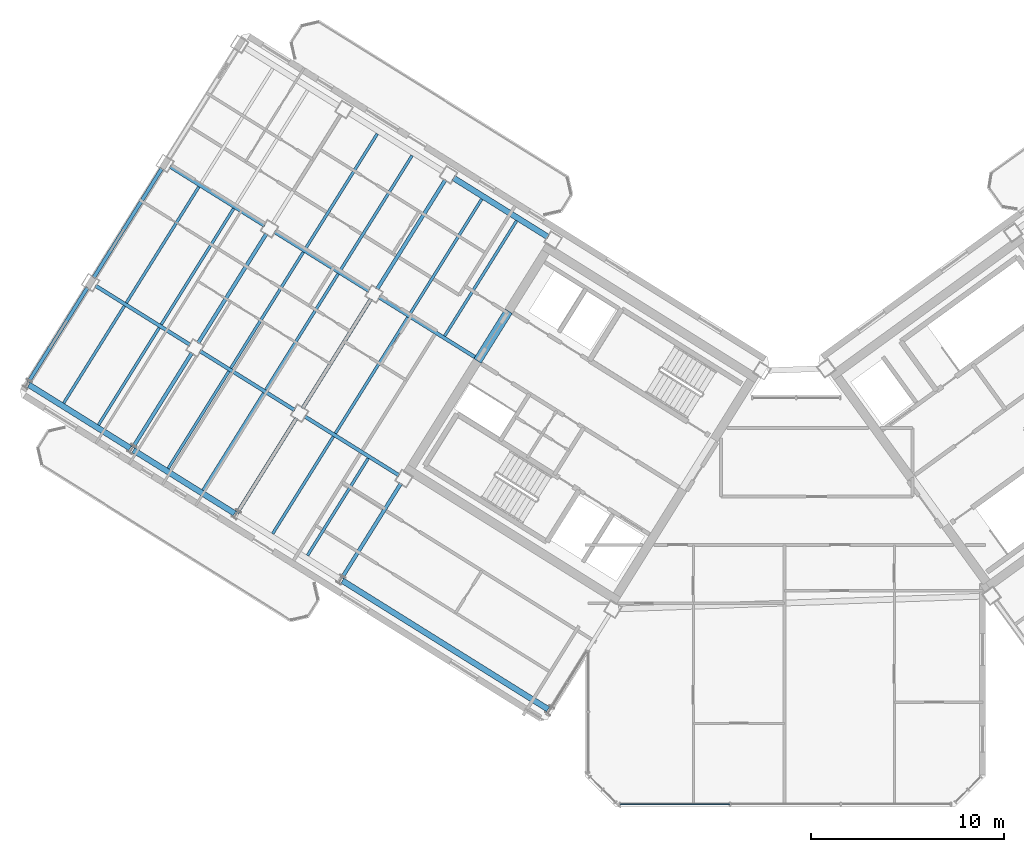
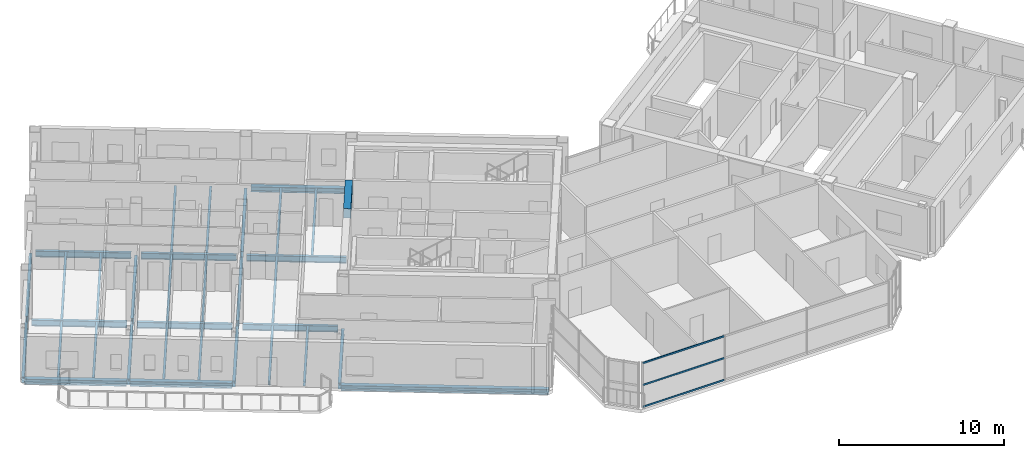
# One storey, part 7 of 25: 34 beams, 3 members, 1 element without a shape of its own.
"""IFC4 building model written with IfcOpenShell, lengths in metres."""

from ifc_helpers import new_model, si_unit, direction, frame, origin, origin_2d, place, context, subcontext, project, spatial, rectangle, hollow_rectangle, i_section, extrude, source, transform, mapped, material, material_profile, profile_set, type_object, element, aggregate, save


model = new_model("IFC4")

# Units and contexts
model_context = context("Model", 3, precision=1e-05, world=origin(), true_north=direction((0.0, 1.0)))
body_context = subcontext(model_context, "Body", "Model", "MODEL_VIEW")
ifc_project = project(units=[si_unit("LENGTHUNIT", "METRE"), si_unit("AREAUNIT", "SQUARE_METRE"), si_unit("VOLUMEUNIT", "CUBIC_METRE"), si_unit("PLANEANGLEUNIT", "RADIAN"), si_unit("MASSUNIT", "GRAM", prefix="KILO")], contexts=[model_context])

# Site, building, storey
site_placement = place(None, origin())
site = spatial("IfcSite", under=ifc_project, at=site_placement, CompositionType="ELEMENT")
building_placement = place(site_placement, origin())
building = spatial("IfcBuilding", under=site, at=building_placement, Name="Tlacorven Tower", CompositionType="ELEMENT")
storey_placement = place(building_placement, frame((0.0, 0.0, 259.199951171875)))
storey = spatial("IfcBuildingStorey", under=building, at=storey_placement, Name="L65", CompositionType="ELEMENT", Elevation=259.199951171875)

# Beams
ifc_material_1 = material(Name="Concrete C60/75", Category="concrete")
ifc_material_profile_1 = material_profile(ifc_material_1, rectangle(XDim=0.449951171875, YDim=0.699951171875, at=origin_2d()), Name="RC 450X700")
ifc_profile_set_1 = profile_set([ifc_material_profile_1], Name="Concrete C60/75")
beam_type_1 = type_object("IfcBeamType", Name="BM-LNT-700", PredefinedType="LINTEL", material=ifc_profile_set_1)
shared_shape_1 = source(origin(), body_context, "Body", "SweptSolid", [
    extrude(rectangle(XDim=0.449951171875, YDim=0.699951171875, at=origin_2d()), origin(), (0.0, 0.0, 1.0), 3.0498046875),
])
beam_1_placement = place(storey_placement, frame((27.622802734375, 27.562255859375, 3.0), z_axis=(-0.529926983584, -0.848043272522, 0.0), x_axis=(0.848043272522, -0.529926983584, 0.0)))
element("IfcBeam", 1, at=beam_1_placement, inside=storey, type_object=beam_type_1, Name="L65 W core coupling lintel beam E2", PredefinedType="LINTEL", context=body_context, shape_type="MappedRepresentation", body=[
    mapped(shared_shape_1, transform((0.0, 0.0, 0.0), scale=1.0)),
])
ifc_material_2 = material(Name="Steel S355J2", Category="steel")
ifc_material_profile_2 = material_profile(ifc_material_2, i_section(OverallWidth=0.300048828125, OverallDepth=0.389892578125, WebThickness=0.010986328125, FlangeThickness=0.01904296875, at=origin_2d()), Name="HEA 400")
ifc_profile_set_2 = profile_set([ifc_material_profile_2], Name="Steel S355J2")
beam_type_2 = type_object("IfcBeamType", Name="BM-SPN-400", PredefinedType="SPANDREL", material=ifc_profile_set_2)
shared_shape_2 = source(origin(), body_context, "Body", "SweptSolid", [
    extrude(i_section(OverallWidth=0.300048828125, OverallDepth=0.389892578125, WebThickness=0.010986328125, FlangeThickness=0.01904296875, at=origin_2d()), origin(), (0.0, 0.0, 1.0), 12.599853515625),
])
beam_2_placement = place(storey_placement, frame((29.67578125, 6.882080078125, -0.445068359375), z_axis=(-0.848045108756, 0.529924045043, 0.0), x_axis=(-0.529924045043, -0.848045108756, 0.0)))
element("IfcBeam", 2, at=beam_2_placement, inside=storey, type_object=beam_type_2, Name="L65 beam BM-L65-WL4-1", PredefinedType="SPANDREL", context=body_context, shape_type="MappedRepresentation", body=[
    mapped(shared_shape_2, transform((0.0, 0.0, 0.0), scale=1.0)),
])
shared_shape_3 = source(origin(), body_context, "Body", "SweptSolid", [
    extrude(i_section(OverallWidth=0.300048828125, OverallDepth=0.389892578125, WebThickness=0.010986328125, FlangeThickness=0.01904296875, at=origin_2d()), origin(), (0.0, 0.0, 1.0), 6.199951171875),
])
for number, where, z_axis, x_axis, name in (
    (3, (13.393310546875, 17.056396484375, -0.445068359375), (-0.848033697614, 0.529942306022, 0.0), (-0.529942306022, -0.848033697614, 0.0), "L65 beam BM-L65-WL4-4"),
    (4, (7.9658203125, 20.447998046875, -0.445068359375), (-0.848051394107, 0.529913986372, 0.0), (-0.529913986372, -0.848051394107, 0.0), "L65 beam BM-L65-WL4-5"),
):
    element("IfcBeam", number, at=place(storey_placement, frame(where, z_axis=z_axis, x_axis=x_axis)), inside=storey, type_object=beam_type_2, Name=name, PredefinedType="SPANDREL", context=body_context, shape_type="MappedRepresentation", body=[
        mapped(shared_shape_3, transform((0.0, 0.0, 0.0), scale=1.0)),
    ])
shared_shape_4 = source(origin(), body_context, "Body", "SweptSolid", [
    extrude(i_section(OverallWidth=0.300048828125, OverallDepth=0.389892578125, WebThickness=0.010986328125, FlangeThickness=0.01904296875, at=origin_2d()), origin(), (0.0, 0.0, 1.0), 5.800048828125),
])
beam_3_placement = place(storey_placement, frame((29.673583984375, 31.410400390625, -0.445068359375), z_axis=(-0.848052689693, 0.529911912967, 0.0), x_axis=(-0.529911912967, -0.848052689693, 0.0)))
element("IfcBeam", 5, at=beam_3_placement, inside=storey, type_object=beam_type_2, Name="L65 beam BM-L65-WL1-3", PredefinedType="SPANDREL", context=body_context, shape_type="MappedRepresentation", body=[
    mapped(shared_shape_4, transform((0.0, 0.0, 0.0), scale=1.0)),
])
ifc_material_profile_3 = material_profile(ifc_material_2, i_section(OverallWidth=0.14990234375, OverallDepth=0.300048828125, WebThickness=0.007080078125, FlangeThickness=0.0107421875, at=origin_2d()), Name="IPE 300")
ifc_profile_set_3 = profile_set([ifc_material_profile_3], Name="Steel S355J2")
beam_type_3 = type_object("IfcBeamType", Name="BM-JST-300", PredefinedType="JOIST", material=ifc_profile_set_3)
shared_shape_5 = source(origin(), body_context, "Body", "SweptSolid", [
    extrude(i_section(OverallWidth=0.14990234375, OverallDepth=0.300048828125, WebThickness=0.007080078125, FlangeThickness=0.0107421875, at=origin_2d()), origin(), (0.0, 0.0, 1.0), 7.10009765625),
])
for number, where, z_axis, x_axis, name in (
    (6, (22.38818359375, 27.23681640625, -0.39990234375), (-0.529915484902, -0.848050457733, 0.0), (0.848050457733, -0.529915484902, 0.0), "L65 beam BM-L65-WJ3-2-2"),
    (7, (11.533203125, 34.019775390625, -0.39990234375), (-0.529915484902, -0.848050457733, 0.0), (0.848050457733, -0.529915484902, 0.0), "L65 beam BM-L65-WJ5-2-2"),
):
    element("IfcBeam", number, at=place(storey_placement, frame(where, z_axis=z_axis, x_axis=x_axis)), inside=storey, type_object=beam_type_3, Name=name, PredefinedType="JOIST", context=body_context, shape_type="MappedRepresentation", body=[
        mapped(shared_shape_5, transform((0.0, 0.0, 0.0), scale=1.0)),
    ])
shared_shape_6 = source(origin(), body_context, "Body", "SweptSolid", [
    extrude(i_section(OverallWidth=0.14990234375, OverallDepth=0.300048828125, WebThickness=0.007080078125, FlangeThickness=0.0107421875, at=origin_2d()), origin(), (0.0, 0.0, 1.0), 7.099853515625),
])
for number, where, z_axis, x_axis, name in (
    (8, (18.769775390625, 29.497802734375, -0.39990234375), (-0.529890754507, -0.848065910344, 0.0), (0.848065910344, -0.529890754507, 0.0), "L65 beam BM-L65-WJ4-2-1"),
    (9, (16.960693359375, 30.628173828125, -0.39990234375), (-0.529930937954, -0.848040801494, 0.0), (0.848040801494, -0.529930937954, 0.0), "L65 beam BM-L65-WJ4-2-2"),
    (10, (13.34228515625, 32.88916015625, -0.39990234375), (-0.529930937954, -0.848040801494, 0.0), (0.848040801494, -0.529930937954, 0.0), "L65 beam BM-L65-WJ5-2-1"),
):
    element("IfcBeam", number, at=place(storey_placement, frame(where, z_axis=z_axis, x_axis=x_axis)), inside=storey, type_object=beam_type_3, Name=name, PredefinedType="JOIST", context=body_context, shape_type="MappedRepresentation", body=[
        mapped(shared_shape_6, transform((0.0, 0.0, 0.0), scale=1.0)),
    ])
shared_shape_7 = source(origin(), body_context, "Body", "SweptSolid", [
    extrude(i_section(OverallWidth=0.14990234375, OverallDepth=0.300048828125, WebThickness=0.007080078125, FlangeThickness=0.0107421875, at=origin_2d()), origin(), (0.0, 0.0, 1.0), 7.044921875),
])
for number, where, z_axis, x_axis, name in (
    (11, (28.03662109375, 32.25048828125, -0.39990234375), (-0.529899256491, -0.848060598053, 0.0), (0.848060598053, -0.529899256491, 0.0), "L65 beam BM-L65-WJ3-1-1"),
    (12, (26.2275390625, 33.380859375, -0.39990234375), (-0.529939753148, -0.848035292917, 0.0), (0.848035292917, -0.529939753148, 0.0), "L65 beam BM-L65-WJ3-1-2"),
    (13, (22.609130859375, 35.641845703125, -0.39990234375), (-0.52991483005, -0.848050866925, 0.0), (0.848050866925, -0.52991483005, 0.0), "L65 beam BM-L65-WJ4-1-1"),
):
    element("IfcBeam", number, at=place(storey_placement, frame(where, z_axis=z_axis, x_axis=x_axis)), inside=storey, type_object=beam_type_3, Name=name, PredefinedType="JOIST", context=body_context, shape_type="MappedRepresentation", body=[
        mapped(shared_shape_7, transform((0.0, 0.0, 0.0), scale=1.0)),
    ])
shared_shape_8 = source(origin(), body_context, "Body", "SweptSolid", [
    extrude(i_section(OverallWidth=0.14990234375, OverallDepth=0.300048828125, WebThickness=0.007080078125, FlangeThickness=0.0107421875, at=origin_2d()), origin(), (0.0, 0.0, 1.0), 5.945068359375),
])
for number, where, z_axis, x_axis, name in (
    (14, (20.3291015625, 19.91552734375, -0.39990234375), (-0.529914037113, -0.848051362401, 0.0), (0.848051362401, -0.529914037113, 0.0), "L65 beam BM-L65-WJ3-3-1"),
    (15, (18.519775390625, 21.046142578125, -0.39990234375), (-0.529914037113, -0.848051362401, 0.0), (0.848051362401, -0.529914037113, 0.0), "L65 beam BM-L65-WJ3-3-2"),
    (16, (14.9013671875, 23.30712890625, -0.39990234375), (-0.529884501938, -0.848069817059, 0.0), (0.848069817059, -0.529884501938, 0.0), "L65 beam BM-L65-WJ4-3-1"),
    (17, (9.473876953125, 26.698486328125, -0.39990234375), (-0.529914037113, -0.848051362401, 0.0), (0.848051362401, -0.529914037113, 0.0), "L65 beam BM-L65-WJ5-3-1"),
    (18, (7.664794921875, 27.8291015625, -0.39990234375), (-0.529914037113, -0.848051362401, 0.0), (0.848051362401, -0.529914037113, 0.0), "L65 beam BM-L65-WJ5-3-2"),
):
    element("IfcBeam", number, at=place(storey_placement, frame(where, z_axis=z_axis, x_axis=x_axis)), inside=storey, type_object=beam_type_3, Name=name, PredefinedType="JOIST", context=body_context, shape_type="MappedRepresentation", body=[
        mapped(shared_shape_8, transform((0.0, 0.0, 0.0), scale=1.0)),
    ])
shared_shape_9 = source(origin(), body_context, "Body", "SweptSolid", [
    extrude(i_section(OverallWidth=0.14990234375, OverallDepth=0.300048828125, WebThickness=0.007080078125, FlangeThickness=0.0107421875, at=origin_2d()), origin(), (0.0, 0.0, 1.0), 7.045166015625),
])
beam_4_placement = place(storey_placement, frame((20.800048828125, 36.7724609375, -0.39990234375), z_axis=(-0.529924179428, -0.848045024782, 0.0), x_axis=(0.848045024782, -0.529924179428, 0.0)))
element("IfcBeam", 19, at=beam_4_placement, inside=storey, type_object=beam_type_3, Name="L65 beam BM-L65-WJ4-1-2", PredefinedType="JOIST", context=body_context, shape_type="MappedRepresentation", body=[
    mapped(shared_shape_9, transform((0.0, 0.0, 0.0), scale=1.0)),
])
shared_shape_10 = source(origin(), body_context, "Body", "SweptSolid", [
    extrude(i_section(OverallWidth=0.14990234375, OverallDepth=0.300048828125, WebThickness=0.007080078125, FlangeThickness=0.0107421875, at=origin_2d()), origin(), (0.0, 0.0, 1.0), 5.94482421875),
])
beam_5_placement = place(storey_placement, frame((13.09228515625, 24.4375, -0.39990234375), z_axis=(-0.529932492401, -0.848039830136, 0.0), x_axis=(0.848039830136, -0.529932492401, 0.0)))
element("IfcBeam", 20, at=beam_5_placement, inside=storey, type_object=beam_type_3, Name="L65 beam BM-L65-WJ4-3-2", PredefinedType="JOIST", context=body_context, shape_type="MappedRepresentation", body=[
    mapped(shared_shape_10, transform((0.0, 0.0, 0.0), scale=1.0)),
])
ifc_material_profile_4 = material_profile(ifc_material_2, i_section(OverallWidth=0.18994140625, OverallDepth=0.449951171875, WebThickness=0.009521484375, FlangeThickness=0.0146484375, at=origin_2d()), Name="IPE 450")
ifc_profile_set_4 = profile_set([ifc_material_profile_4], Name="Steel S355J2")
beam_type_4 = type_object("IfcBeamType", Name="BM-TWR-450", PredefinedType="BEAM", material=ifc_profile_set_4)
shared_shape_11 = source(origin(), body_context, "Body", "SweptSolid", [
    extrude(i_section(OverallWidth=0.18994140625, OverallDepth=0.449951171875, WebThickness=0.009521484375, FlangeThickness=0.0146484375, at=origin_2d()), origin(), (0.0, 0.0, 1.0), 6.06005859375),
])
beam_6_placement = place(storey_placement, frame((26.025634765625, 25.081787109375, -0.474853515625), z_axis=(-0.848039041052, 0.529933755154, 0.0), x_axis=(-0.529933755154, -0.848039041052, 0.0)))
element("IfcBeam", 21, at=beam_6_placement, inside=storey, type_object=beam_type_4, Name="L65 beam BM-L65-WL2-3", PredefinedType="BEAM", context=body_context, shape_type="MappedRepresentation", body=[
    mapped(shared_shape_11, transform((0.0, 0.0, 0.0), scale=1.0)),
])
shared_shape_12 = source(origin(), body_context, "Body", "SweptSolid", [
    extrude(i_section(OverallWidth=0.18994140625, OverallDepth=0.449951171875, WebThickness=0.009521484375, FlangeThickness=0.0146484375, at=origin_2d()), origin(), (0.0, 0.0, 1.0), 5.800048828125),
])
for number, where, z_axis, x_axis, name in (
    (22, (20.377685546875, 28.611083984375, -0.474853515625), (-0.848052689693, 0.529911912967, 0.0), (-0.529911912967, -0.848052689693, 0.0), "L65 beam BM-L65-WL2-4"),
    (23, (14.9501953125, 32.00244140625, -0.474853515625), (-0.848033773154, 0.52994218514, 0.0), (-0.52994218514, -0.848033773154, 0.0), "L65 beam BM-L65-WL2-5"),
    (24, (21.936767578125, 19.02880859375, -0.474853515625), (-0.848052689693, 0.529911912967, 0.0), (-0.529911912967, -0.848052689693, 0.0), "L65 beam BM-L65-WL3-3"),
    (25, (16.50927734375, 22.42041015625, -0.474853515625), (-0.848052689693, 0.529911912967, 0.0), (-0.529911912967, -0.848052689693, 0.0), "L65 beam BM-L65-WL3-4"),
    (26, (11.081787109375, 25.811767578125, -0.474853515625), (-0.848052689693, 0.529911912967, 0.0), (-0.529911912967, -0.848052689693, 0.0), "L65 beam BM-L65-WL3-5"),
    (27, (22.0322265625, 18.615478515625, -0.474853515625), (-0.52994218514, -0.848033773154, 0.0), (0.848033773154, -0.52994218514, 0.0), "L65 beam BM-L65-WT3-2"),
    (28, (16.604736328125, 22.0068359375, -0.474853515625), (-0.52994218514, -0.848033773154, 0.0), (0.848033773154, -0.52994218514, 0.0), "L65 beam BM-L65-WT4-3"),
    (29, (11.17724609375, 25.3984375, -0.474853515625), (-0.52994218514, -0.848033773154, 0.0), (0.848033773154, -0.52994218514, 0.0), "L65 beam BM-L65-WT5-3"),
    (30, (5.74951171875, 28.789794921875, -0.474853515625), (-0.529911912967, -0.848052689693, 0.0), (0.848052689693, -0.529911912967, 0.0), "L65 beam BM-L65-WT6-3"),
):
    element("IfcBeam", number, at=place(storey_placement, frame(where, z_axis=z_axis, x_axis=x_axis)), inside=storey, type_object=beam_type_4, Name=name, PredefinedType="BEAM", context=body_context, shape_type="MappedRepresentation", body=[
        mapped(shared_shape_12, transform((0.0, 0.0, 0.0), scale=1.0)),
    ])
shared_shape_13 = source(origin(), body_context, "Body", "SweptSolid", [
    extrude(i_section(OverallWidth=0.18994140625, OverallDepth=0.449951171875, WebThickness=0.009521484375, FlangeThickness=0.0146484375, at=origin_2d()), origin(), (0.0, 0.0, 1.0), 6.699951171875),
])
for number, where, z_axis, x_axis, name in (
    (31, (24.341552734375, 34.388427734375, -0.474853515625), (-0.529930154818, -0.848041290867, 0.0), (0.848041290867, -0.529930154818, 0.0), "L65 beam BM-L65-WT4-1"),
    (32, (20.47314453125, 28.19775390625, -0.474853515625), (-0.529930154818, -0.848041290867, 0.0), (0.848041290867, -0.529930154818, 0.0), "L65 beam BM-L65-WT4-2"),
    (33, (15.045654296875, 31.589111328125, -0.474853515625), (-0.529930154818, -0.848041290867, 0.0), (0.848041290867, -0.529930154818, 0.0), "L65 beam BM-L65-WT5-2"),
    (34, (9.617919921875, 34.980712890625, -0.474853515625), (-0.529903948186, -0.848057666493, 0.0), (0.848057666493, -0.529903948186, 0.0), "L65 beam BM-L65-WT6-2"),
):
    element("IfcBeam", number, at=place(storey_placement, frame(where, z_axis=z_axis, x_axis=x_axis)), inside=storey, type_object=beam_type_4, Name=name, PredefinedType="BEAM", context=body_context, shape_type="MappedRepresentation", body=[
        mapped(shared_shape_13, transform((0.0, 0.0, 0.0), scale=1.0)),
    ])

# Curtain wall, members
ifc_material_3 = material(Name="Dark solar low-E double glazing in aluminium frame", Category="aluminium")
curtain_wall_type = type_object("IfcCurtainWallType", Name="CW-TWR-HIGH", PredefinedType="USERDEFINED", material=ifc_material_3)
curtain_wall_placement = place(storey_placement, origin())
curtain_wall = element("IfcCurtainWall", 35, at=curtain_wall_placement, inside=storey, type_object=curtain_wall_type, Name="L65 CW-TWR-HIGH Curtain Wall 303", ObjectType="UNITISED CURTAIN WALL", PredefinedType="USERDEFINED")
ifc_material_4 = material(Name="Aluminium 6063-T6 anodised", Category="aluminium")
ifc_material_profile_5 = material_profile(ifc_material_4, hollow_rectangle(XDim=0.054931640625, YDim=0.1201171875, WallThickness=0.00341796875, at=origin_2d()), Name="ALU TRANSOM 55X120")
ifc_profile_set_5 = profile_set([ifc_material_profile_5], Name="Aluminium 6063-T6 anodised")
member_type = type_object("IfcMemberType", Name="CWT-03", PredefinedType="USERDEFINED", material=ifc_profile_set_5)
shared_shape_14 = source(origin(), body_context, "Body", "SweptSolid", [
    extrude(hollow_rectangle(XDim=0.054931640625, YDim=0.1201171875, WallThickness=0.00341796875, at=origin_2d()), origin(), (0.0, 0.0, 1.0), 5.689697265625),
])
member_1_placement = place(storey_placement, frame((39.10400390625, 1.9599609375, 0.06005859375), z_axis=(-1.0, 0.0, 0.0), x_axis=(0.0, -1.0, 0.0)))
member_1 = element("IfcMember", 36, at=member_1_placement, type_object=member_type, Name="CW-L65-303 Transom 7", ObjectType="TRANSOM", PredefinedType="USERDEFINED", context=body_context, shape_type="MappedRepresentation", body=[
    mapped(shared_shape_14, transform((0.0, 0.0, 0.0), scale=1.0)),
])
member_2_placement = place(storey_placement, frame((39.10400390625, 1.9599609375, 1.675048828125), z_axis=(-1.0, 0.0, 0.0), x_axis=(0.0, -1.0, 0.0)))
member_2 = element("IfcMember", 37, at=member_2_placement, type_object=member_type, Name="CW-L65-303 Transom 8", ObjectType="TRANSOM", PredefinedType="USERDEFINED", context=body_context, shape_type="MappedRepresentation", body=[
    mapped(shared_shape_14, transform((0.0, 0.0, 0.0), scale=1.0)),
])
member_3_placement = place(storey_placement, frame((39.10400390625, 1.9599609375, 3.2900390625), z_axis=(-1.0, 0.0, 0.0), x_axis=(0.0, -1.0, 0.0)))
member_3 = element("IfcMember", 38, at=member_3_placement, type_object=member_type, Name="CW-L65-303 Transom 9", ObjectType="TRANSOM", PredefinedType="USERDEFINED", context=body_context, shape_type="MappedRepresentation", body=[
    mapped(shared_shape_14, transform((0.0, 0.0, 0.0), scale=1.0)),
])
aggregate(curtain_wall, [member_1, member_2, member_3])

save(model, "model.ifc")
